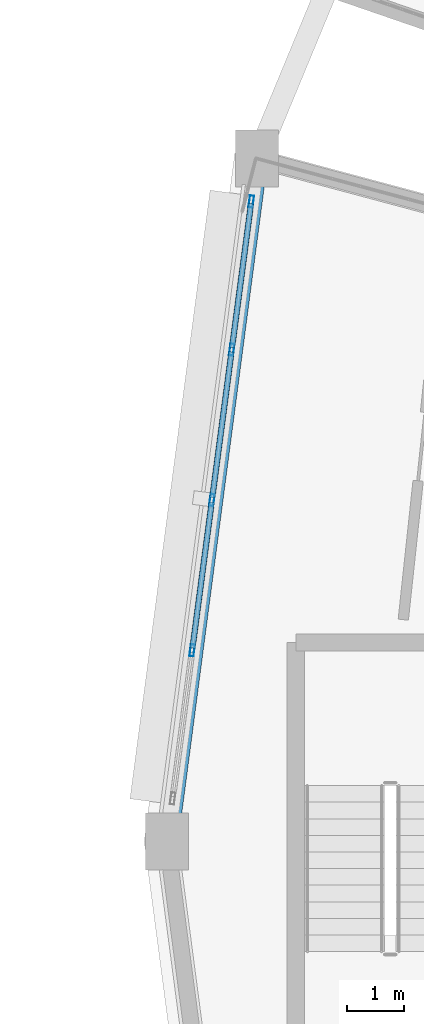
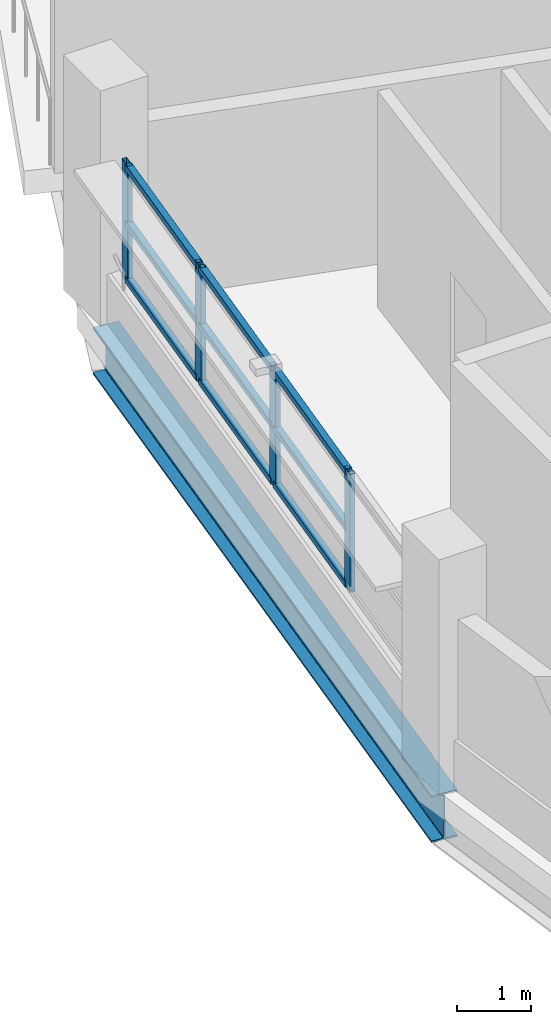
# One storey, part 55 of 108: 13 members, 1 beam, 1 element without a shape of its own.
"""IFC4 building model written with IfcOpenShell, lengths in metres."""

from ifc_helpers import new_model, si_unit, direction, frame, origin, origin_2d, place, context, subcontext, project, spatial, hollow_rectangle, i_section, extrude, material, layer, layer_set, material_profile, profile_set, type_object, element, aggregate, save


model = new_model("IFC4")

# Units and contexts
model_context = context("Model", 3, precision=1e-05, world=origin(), true_north=direction((0.0, 1.0)))
body_context = subcontext(model_context, "Body", "Model", "MODEL_VIEW")
ifc_project = project(units=[si_unit("LENGTHUNIT", "METRE"), si_unit("AREAUNIT", "SQUARE_METRE"), si_unit("VOLUMEUNIT", "CUBIC_METRE"), si_unit("PLANEANGLEUNIT", "RADIAN"), si_unit("MASSUNIT", "GRAM", prefix="KILO")], contexts=[model_context])

# Site, building, storey
site_placement = place(None, origin())
site = spatial("IfcSite", under=ifc_project, at=site_placement, CompositionType="ELEMENT")
building_placement = place(site_placement, origin())
building = spatial("IfcBuilding", under=site, at=building_placement, Name="Vespera Passage Community Centre", CompositionType="ELEMENT")
storey_placement = place(building_placement, frame((0.0, 0.0, 12.60009765625)))
storey = spatial("IfcBuildingStorey", under=building, at=storey_placement, Name="L03", CompositionType="ELEMENT", Elevation=12.60009765625)

# Beam
ifc_material_1 = material(Name="Steel ASTM A992 Grade 50", Category="steel")
ifc_material_profile_1 = material_profile(ifc_material_1, i_section(OverallWidth=0.382080078125, OverallDepth=0.779296875, WebThickness=0.01806640625, FlangeThickness=0.030029296875, FilletRadius=0.0166015625, at=origin_2d()), Name="W30X191")
ifc_profile_set_1 = profile_set([ifc_material_profile_1], Name="Steel ASTM A992 Grade 50")
beam_type = type_object("IfcBeamType", Name="BM-SP-W30X191E", PredefinedType="SPANDREL", material=ifc_profile_set_1)
beam_placement = place(storey_placement, frame((33.470703125, 77.431640625, -0.789794921875), z_axis=(-0.130523782115, -0.991445178667, 0.0), x_axis=(0.991445178667, -0.130523782115, 0.0)))
element("IfcBeam", 1, at=beam_placement, inside=storey, type_object=beam_type, Name="V4 L03 Outer Spandrel 11", PredefinedType="SPANDREL", context=body_context, shape_type="SweptSolid", body=[
    extrude(i_section(OverallWidth=0.382080078125, OverallDepth=0.779296875, WebThickness=0.01806640625, FlangeThickness=0.030029296875, FilletRadius=0.0166015625, at=origin_2d()), origin(), (0.0, 0.0, 1.0), 12.03466796875),
])

# Curtain wall, members
ifc_material_2 = material(Name="Anodized aluminium 6063-T6", Category="aluminium")
ifc_layer = layer(ifc_material_2, 0.159912109375)
ifc_layer_set = layer_set([ifc_layer], Name="Anodized aluminium 6063-T6")
curtain_wall_type = type_object("IfcCurtainWallType", Name="CW-47E", PredefinedType="NOTDEFINED", material=ifc_layer_set)
curtain_wall_placement = place(storey_placement, origin())
curtain_wall = element("IfcCurtainWall", 2, at=curtain_wall_placement, inside=storey, type_object=curtain_wall_type, Name="V4 L03 Outer Ribbon Curtain Wall 11", PredefinedType="NOTDEFINED")
ifc_material_3 = material(Name="Anodized aluminium 6063-T6", Category="aluminium")
ifc_material_profile_2 = material_profile(ifc_material_3, hollow_rectangle(XDim=0.074951171875, YDim=0.2099609375, WallThickness=0.0048828125, InnerFilletRadius=0.00244140625, OuterFilletRadius=0.0048828125, at=origin_2d()), Name="ALU210X75X5")
ifc_profile_set_2 = profile_set([ifc_material_profile_2], Name="Anodized aluminium 6063-T6")
member_type_1 = type_object("IfcMemberType", Name="MB-CWM-210E", PredefinedType="MULLION", material=ifc_profile_set_2)
member_1_placement = place(storey_placement, frame((32.339599609375, 68.839599609375, 0.81982421875), z_axis=(0.0, 0.0, 1.0), x_axis=(-0.991445298818, 0.130522869458, 0.0)))
member_1 = element("IfcMember", 3, at=member_1_placement, type_object=member_type_1, Name="CW-47E mullion 2", PredefinedType="MULLION", context=body_context, shape_type="SweptSolid", body=[
    extrude(hollow_rectangle(XDim=0.074951171875, YDim=0.2099609375, WallThickness=0.0048828125, InnerFilletRadius=0.00244140625, OuterFilletRadius=0.0048828125, at=origin_2d()), origin(), (0.0, 0.0, 1.0), 1.965576171875),
])
member_2_placement = place(storey_placement, frame((32.685302734375, 71.4658203125, 0.81982421875), z_axis=(0.0, 0.0, 1.0), x_axis=(-0.991445298818, 0.130522869458, 0.0)))
member_2 = element("IfcMember", 4, at=member_2_placement, type_object=member_type_1, Name="CW-47E mullion 3", PredefinedType="MULLION", context=body_context, shape_type="SweptSolid", body=[
    extrude(hollow_rectangle(XDim=0.074951171875, YDim=0.2099609375, WallThickness=0.0048828125, InnerFilletRadius=0.00244140625, OuterFilletRadius=0.0048828125, at=origin_2d()), origin(), (0.0, 0.0, 1.0), 1.965576171875),
])
member_3_placement = place(storey_placement, frame((33.03125, 74.092041015625, 0.81982421875), z_axis=(0.0, 0.0, 1.0), x_axis=(-0.991445298818, 0.130522869458, 0.0)))
member_3 = element("IfcMember", 5, at=member_3_placement, type_object=member_type_1, Name="CW-47E mullion 4", PredefinedType="MULLION", context=body_context, shape_type="SweptSolid", body=[
    extrude(hollow_rectangle(XDim=0.074951171875, YDim=0.2099609375, WallThickness=0.0048828125, InnerFilletRadius=0.00244140625, OuterFilletRadius=0.0048828125, at=origin_2d()), origin(), (0.0, 0.0, 1.0), 1.965576171875),
])
member_4_placement = place(storey_placement, frame((33.3720703125, 76.68115234375, 0.81982421875), z_axis=(0.0, 0.0, 1.0), x_axis=(-0.991445298818, 0.130522869458, 0.0)))
member_4 = element("IfcMember", 6, at=member_4_placement, type_object=member_type_1, Name="CW-47E mullion 5", PredefinedType="MULLION", context=body_context, shape_type="SweptSolid", body=[
    extrude(hollow_rectangle(XDim=0.074951171875, YDim=0.2099609375, WallThickness=0.0048828125, InnerFilletRadius=0.00244140625, OuterFilletRadius=0.0048828125, at=origin_2d()), origin(), (0.0, 0.0, 1.0), 1.965576171875),
])
ifc_material_4 = material(Name="Anodized aluminium 6063-T6", Category="aluminium")
ifc_material_profile_3 = material_profile(ifc_material_4, hollow_rectangle(XDim=0.10009765625, YDim=0.10009765625, WallThickness=0.00390625, InnerFilletRadius=0.001953125, OuterFilletRadius=0.00390625, at=origin_2d()), Name="ALU100X100X4")
ifc_profile_set_3 = profile_set([ifc_material_profile_3], Name="Anodized aluminium 6063-T6")
member_type_2 = type_object("IfcMemberType", Name="MB-CWT-100E", PredefinedType="USERDEFINED", material=ifc_profile_set_3)
member_5_placement = place(storey_placement, frame((32.344482421875, 68.876708984375, 0.869873046875), z_axis=(0.13051094341, 0.991446868798, 0.0), x_axis=(-0.991446868798, 0.13051094341, 0.0)))
member_5 = element("IfcMember", 7, at=member_5_placement, type_object=member_type_2, Name="CW-47E transom 2.1", ObjectType="TRANSOM", PredefinedType="USERDEFINED", context=body_context, shape_type="SweptSolid", body=[
    extrude(hollow_rectangle(XDim=0.10009765625, YDim=0.10009765625, WallThickness=0.00390625, InnerFilletRadius=0.001953125, OuterFilletRadius=0.00390625, at=origin_2d()), origin(), (0.0, 0.0, 1.0), 2.573974609375),
])
member_6_placement = place(storey_placement, frame((32.344482421875, 68.876708984375, 1.802734375), z_axis=(0.13051094341, 0.991446868798, 0.0), x_axis=(-0.991446868798, 0.13051094341, 0.0)))
member_6 = element("IfcMember", 8, at=member_6_placement, type_object=member_type_2, Name="CW-47E transom 2.2", ObjectType="TRANSOM", PredefinedType="USERDEFINED", context=body_context, shape_type="SweptSolid", body=[
    extrude(hollow_rectangle(XDim=0.10009765625, YDim=0.10009765625, WallThickness=0.00390625, InnerFilletRadius=0.001953125, OuterFilletRadius=0.00390625, at=origin_2d()), origin(), (0.0, 0.0, 1.0), 2.573974609375),
])
member_7_placement = place(storey_placement, frame((32.344482421875, 68.876708984375, 2.735595703125), z_axis=(0.13051094341, 0.991446868798, 0.0), x_axis=(-0.991446868798, 0.13051094341, 0.0)))
member_7 = element("IfcMember", 9, at=member_7_placement, type_object=member_type_2, Name="CW-47E transom 2.3", ObjectType="TRANSOM", PredefinedType="USERDEFINED", context=body_context, shape_type="SweptSolid", body=[
    extrude(hollow_rectangle(XDim=0.10009765625, YDim=0.10009765625, WallThickness=0.00390625, InnerFilletRadius=0.001953125, OuterFilletRadius=0.00390625, at=origin_2d()), origin(), (0.0, 0.0, 1.0), 2.573974609375),
])
member_8_placement = place(storey_placement, frame((32.690185546875, 71.5029296875, 0.869873046875), z_axis=(0.130604174191, 0.991434591733, 0.0), x_axis=(-0.991434591733, 0.130604174191, 0.0)))
member_8 = element("IfcMember", 10, at=member_8_placement, type_object=member_type_2, Name="CW-47E transom 3.1", ObjectType="TRANSOM", PredefinedType="USERDEFINED", context=body_context, shape_type="SweptSolid", body=[
    extrude(hollow_rectangle(XDim=0.10009765625, YDim=0.10009765625, WallThickness=0.00390625, InnerFilletRadius=0.001953125, OuterFilletRadius=0.00390625, at=origin_2d()), origin(), (0.0, 0.0, 1.0), 2.573974609375),
])
member_9_placement = place(storey_placement, frame((32.690185546875, 71.5029296875, 1.802734375), z_axis=(0.130604174191, 0.991434591733, 0.0), x_axis=(-0.991434591733, 0.130604174191, 0.0)))
member_9 = element("IfcMember", 11, at=member_9_placement, type_object=member_type_2, Name="CW-47E transom 3.2", ObjectType="TRANSOM", PredefinedType="USERDEFINED", context=body_context, shape_type="SweptSolid", body=[
    extrude(hollow_rectangle(XDim=0.10009765625, YDim=0.10009765625, WallThickness=0.00390625, InnerFilletRadius=0.001953125, OuterFilletRadius=0.00390625, at=origin_2d()), origin(), (0.0, 0.0, 1.0), 2.573974609375),
])
member_10_placement = place(storey_placement, frame((32.690185546875, 71.5029296875, 2.735595703125), z_axis=(0.130604174191, 0.991434591733, 0.0), x_axis=(-0.991434591733, 0.130604174191, 0.0)))
member_10 = element("IfcMember", 12, at=member_10_placement, type_object=member_type_2, Name="CW-47E transom 3.3", ObjectType="TRANSOM", PredefinedType="USERDEFINED", context=body_context, shape_type="SweptSolid", body=[
    extrude(hollow_rectangle(XDim=0.10009765625, YDim=0.10009765625, WallThickness=0.00390625, InnerFilletRadius=0.001953125, OuterFilletRadius=0.00390625, at=origin_2d()), origin(), (0.0, 0.0, 1.0), 2.573974609375),
])
member_11_placement = place(storey_placement, frame((33.0361328125, 74.12939453125, 0.869873046875), z_axis=(0.130524231271, 0.991445119536, 0.0), x_axis=(-0.991445119536, 0.130524231271, 0.0)))
member_11 = element("IfcMember", 13, at=member_11_placement, type_object=member_type_2, Name="CW-47E transom 4.1", ObjectType="TRANSOM", PredefinedType="USERDEFINED", context=body_context, shape_type="SweptSolid", body=[
    extrude(hollow_rectangle(XDim=0.10009765625, YDim=0.10009765625, WallThickness=0.00390625, InnerFilletRadius=0.001953125, OuterFilletRadius=0.00390625, at=origin_2d()), origin(), (0.0, 0.0, 1.0), 2.536376953125),
])
member_12_placement = place(storey_placement, frame((33.0361328125, 74.12939453125, 1.802734375), z_axis=(0.130524231271, 0.991445119536, 0.0), x_axis=(-0.991445119536, 0.130524231271, 0.0)))
member_12 = element("IfcMember", 14, at=member_12_placement, type_object=member_type_2, Name="CW-47E transom 4.2", ObjectType="TRANSOM", PredefinedType="USERDEFINED", context=body_context, shape_type="SweptSolid", body=[
    extrude(hollow_rectangle(XDim=0.10009765625, YDim=0.10009765625, WallThickness=0.00390625, InnerFilletRadius=0.001953125, OuterFilletRadius=0.00390625, at=origin_2d()), origin(), (0.0, 0.0, 1.0), 2.536376953125),
])
member_13_placement = place(storey_placement, frame((33.0361328125, 74.12939453125, 2.735595703125), z_axis=(0.130524231271, 0.991445119536, 0.0), x_axis=(-0.991445119536, 0.130524231271, 0.0)))
member_13 = element("IfcMember", 15, at=member_13_placement, type_object=member_type_2, Name="CW-47E transom 4.3", ObjectType="TRANSOM", PredefinedType="USERDEFINED", context=body_context, shape_type="SweptSolid", body=[
    extrude(hollow_rectangle(XDim=0.10009765625, YDim=0.10009765625, WallThickness=0.00390625, InnerFilletRadius=0.001953125, OuterFilletRadius=0.00390625, at=origin_2d()), origin(), (0.0, 0.0, 1.0), 2.536376953125),
])
aggregate(curtain_wall, [member_1, member_2, member_3, member_4, member_5, member_6, member_7, member_8, member_9, member_10, member_11, member_12, member_13])

save(model, "model.ifc")
